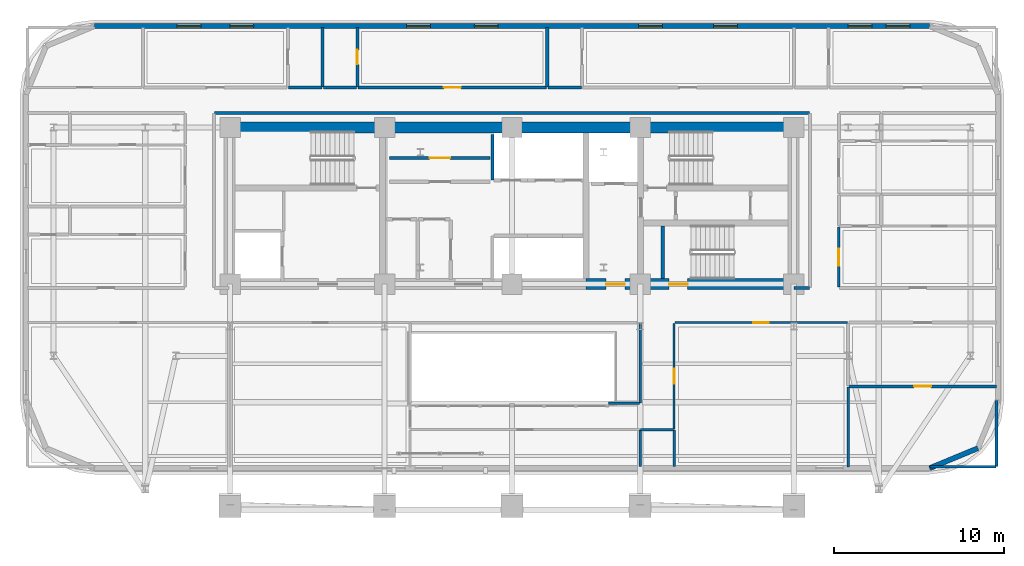
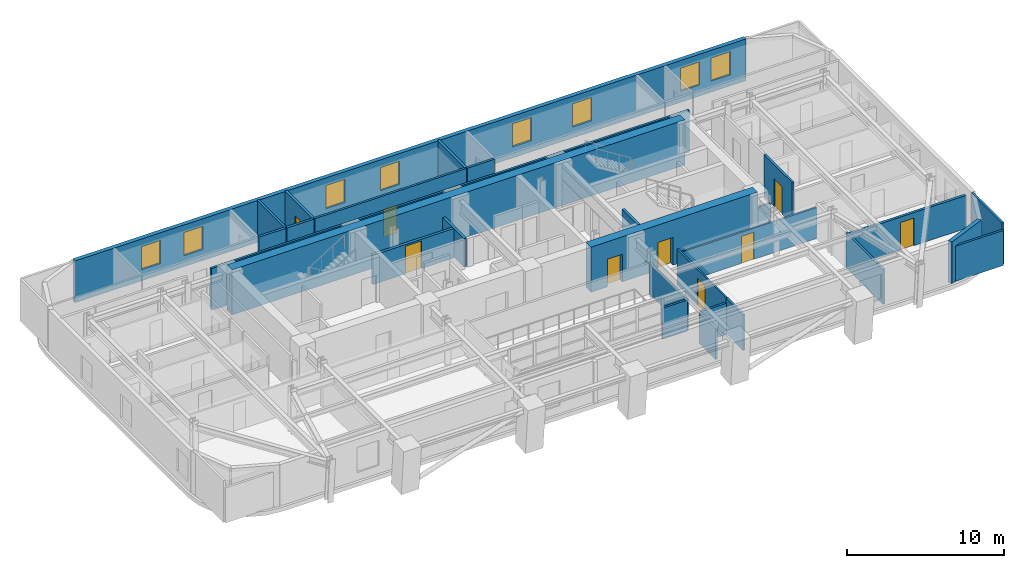
# One storey, part 10 of 15: 28 walls, 9 doors, 8 windows, 17 openings.
"""IFC4 building model written with IfcOpenShell, lengths in metres."""

from ifc_helpers import new_model, si_unit, direction, frame, frame_2d, origin, place, context, subcontext, project, spatial, rectangle, extrude, material, layer, layer_set, type_object, element, fill, save


model = new_model("IFC4")

# Units and contexts
model_context = context("Model", 3, precision=1e-05, world=origin(), true_north=direction((0.0, 1.0)))
body_context = subcontext(model_context, "Body", "Model", "MODEL_VIEW")
ifc_project = project(units=[si_unit("LENGTHUNIT", "METRE"), si_unit("AREAUNIT", "SQUARE_METRE"), si_unit("VOLUMEUNIT", "CUBIC_METRE"), si_unit("PLANEANGLEUNIT", "RADIAN"), si_unit("MASSUNIT", "GRAM", prefix="KILO")], contexts=[model_context])

# Site, building, storey
site_placement = place(None, origin())
site = spatial("IfcSite", under=ifc_project, at=site_placement, CompositionType="ELEMENT")
building_placement = place(site_placement, origin())
building = spatial("IfcBuilding", under=site, at=building_placement, Name="Zarnavel Station Tower", CompositionType="ELEMENT")
storey_placement = place(building_placement, frame((0.0, 0.0, 125.800048828125)))
storey = spatial("IfcBuildingStorey", under=building, at=storey_placement, Name="L34", CompositionType="ELEMENT", Elevation=125.800048828125)

# Wall
ifc_material_1 = material(Name="Concrete C60/75", Category="concrete")
ifc_layer_1 = layer(ifc_material_1, 0.64990234375)
ifc_layer_set_1 = layer_set([ifc_layer_1], Name="CW_650")
wall_type_1 = type_object("IfcWallType", Name="CW_650", PredefinedType="SHEAR", material=ifc_layer_set_1)
wall_1_placement = place(storey_placement, frame((12.14990234375, 37.050048828125, 0.0), z_axis=(0.0, 0.0, 1.0), x_axis=(1.0, 0.0, 0.0)))
element("IfcWall", 1, at=wall_1_placement, inside=storey, type_object=wall_type_1, Name="L34 Rear Core Shear Wall N", PredefinedType="SHEAR", context=body_context, shape_type="SweptSolid", body=[
    extrude(rectangle(XDim=33.22998046875, YDim=0.64990234375, at=frame_2d((16.614990234375, 0.0))), origin(), (0.0, 0.0, 1.0), 3.5),
])

# Wall, openings, doors
wall_2_placement = place(storey_placement, frame((45.3798828125, 27.820068359375, 0.0), z_axis=(0.0, 0.0, 1.0), x_axis=(-1.0, 0.0, 0.0)))
wall_2 = element("IfcWall", 2, at=wall_2_placement, inside=storey, type_object=wall_type_1, Name="L34 Rear Core Shear Wall S-E", PredefinedType="SHEAR", context=body_context, shape_type="SweptSolid", body=[
    extrude(rectangle(XDim=12.22998046875, YDim=0.64990234375, at=frame_2d((6.114990234375, 0.0))), origin(), (0.0, 0.0, 1.0), 3.5),
])
opening_1_placement = place(wall_2_placement, frame((9.929931640625, 0.0, 0.0)))
opening_1 = element("IfcOpeningElement", 3, at=opening_1_placement, cuts=wall_2, Name="Opening FD01", PredefinedType="OPENING", context=body_context, shape_type="SweptSolid", body=[
    extrude(rectangle(XDim=1.10009765625, YDim=2.14990234375, at=frame_2d((0.550048828125, 1.074951171875))), frame((0.0, 0.3349609375, 0.0), z_axis=(0.0, -1.0, 0.0), x_axis=(1.0, 0.0, 0.0)), (0.0, 0.0, 1.0), 0.669921875),
])
opening_2_placement = place(wall_2_placement, frame((6.22998046875, 0.0, 0.0)))
opening_2 = element("IfcOpeningElement", 4, at=opening_2_placement, cuts=wall_2, Name="Opening FD01", PredefinedType="OPENING", context=body_context, shape_type="SweptSolid", body=[
    extrude(rectangle(XDim=1.10009765625, YDim=2.14990234375, at=frame_2d((0.550048828125, 1.074951171875))), frame((0.0, 0.3349609375, 0.0), z_axis=(0.0, -1.0, 0.0), x_axis=(1.0, 0.0, 0.0)), (0.0, 0.0, 1.0), 0.669921875),
])
ifc_material_2 = material(Name="Painted Galvanised Steel and Hardwood Leaf", Category="steel")
door_type_1 = type_object("IfcDoorType", Name="ID_STAIR_1100", OperationType="NOTDEFINED", PredefinedType="DOOR", material=ifc_material_2)
door_1_placement = place(opening_1_placement, origin())
door_1 = element("IfcDoor", 5, at=door_1_placement, inside=storey, type_object=door_type_1, Name="L34 East Firefighting Lobby Door", OperationType="SINGLE_SWING_LEFT", OverallHeight=2.14990234375, OverallWidth=1.10009765625, PredefinedType="DOOR", context=body_context, shape_type="SweptSolid", body=[
    extrude(rectangle(XDim=1.10009765625, YDim=2.14990234375, at=frame_2d((0.550048828125, 1.074951171875))), frame((0.0, 0.02490234375, 0.0), z_axis=(0.0, -1.0, 0.0), x_axis=(1.0, 0.0, 0.0)), (0.0, 0.0, 1.0), 0.050048828125),
])
fill(opening_1, door_1)
door_2_placement = place(opening_2_placement, origin())
door_2 = element("IfcDoor", 6, at=door_2_placement, inside=storey, type_object=door_type_1, Name="L34 Stair ST3 Corridor Fire Door", OperationType="SINGLE_SWING_RIGHT", OverallHeight=2.14990234375, OverallWidth=1.10009765625, PredefinedType="DOOR", context=body_context, shape_type="SweptSolid", body=[
    extrude(rectangle(XDim=1.10009765625, YDim=2.14990234375, at=frame_2d((0.550048828125, 1.074951171875))), frame((0.0, 0.02490234375, 0.0), z_axis=(0.0, -1.0, 0.0), x_axis=(1.0, 0.0, 0.0)), (0.0, 0.0, 1.0), 0.050048828125),
])
fill(opening_2, door_2)

# Wall
ifc_material_3 = material(Name="Precast concrete C45/55 (Dark Basalt Finish)", Category="masonry")
ifc_layer_2 = layer(ifc_material_3, 0.300048828125)
ifc_layer_set_2 = layer_set([ifc_layer_2], Name="EW_BASALT_300")
wall_type_2 = type_object("IfcWallType", Name="EW_BASALT_300", PredefinedType="SOLIDWALL", material=ifc_layer_set_2)
wall_3_placement = place(storey_placement, frame((56.24267578125, 18.157470703125, 0.0), z_axis=(0.0, 0.0, 1.0), x_axis=(-0.923882414032, -0.382676475685, 0.0)))
element("IfcWall", 7, at=wall_3_placement, inside=storey, type_object=wall_type_2, Name="L34 Exterior Basalt Masonry Frame Wall 01", PredefinedType="SOLIDWALL", context=body_context, shape_type="SweptSolid", body=[
    extrude(rectangle(XDim=3.076904296875, YDim=0.300048828125, at=frame_2d((1.53857421875, 0.0))), origin(), (0.0, 0.0, 1.0), 3.239990234375),
])

# Wall, openings, windows
wall_4_placement = place(storey_placement, frame((4.199951171875, 43.02001953125, 0.0), z_axis=(0.0, 0.0, 1.0), x_axis=(1.0, 0.0, 0.0)))
wall_4 = element("IfcWall", 8, at=wall_4_placement, inside=storey, type_object=wall_type_2, Name="L34 Exterior Basalt Masonry Frame Wall 06", PredefinedType="SOLIDWALL", context=body_context, shape_type="SweptSolid", body=[
    extrude(rectangle(XDim=49.199951171875, YDim=0.300048828125, at=frame_2d((24.60009765625, 0.0))), origin(), (0.0, 0.0, 1.0), 3.239990234375),
])
opening_3_placement = place(wall_4_placement, frame((4.87158203125, 0.0, 0.85009765625)))
opening_3 = element("IfcOpeningElement", 9, at=opening_3_placement, cuts=wall_4, Name="Opening WN01", PredefinedType="OPENING", context=body_context, shape_type="SweptSolid", body=[
    extrude(rectangle(XDim=1.39990234375, YDim=1.800048828125, at=frame_2d((0.699951171875, 0.89990234375))), frame((0.0, 0.159912109375, 0.0), z_axis=(0.0, -1.0, 0.0), x_axis=(1.0, 0.0, 0.0)), (0.0, 0.0, 1.0), 0.320068359375),
])
opening_4_placement = place(wall_4_placement, frame((7.9833984375, 0.0, 0.85009765625)))
opening_4 = element("IfcOpeningElement", 10, at=opening_4_placement, cuts=wall_4, Name="Opening WN01", PredefinedType="OPENING", context=body_context, shape_type="SweptSolid", body=[
    extrude(rectangle(XDim=1.39990234375, YDim=1.800048828125, at=frame_2d((0.699951171875, 0.89990234375))), frame((0.0, 0.159912109375, 0.0), z_axis=(0.0, -1.0, 0.0), x_axis=(1.0, 0.0, 0.0)), (0.0, 0.0, 1.0), 0.320068359375),
])
opening_5_placement = place(wall_4_placement, frame((18.388916015625, 0.0, 0.85009765625)))
opening_5 = element("IfcOpeningElement", 11, at=opening_5_placement, cuts=wall_4, Name="Opening WN01", PredefinedType="OPENING", context=body_context, shape_type="SweptSolid", body=[
    extrude(rectangle(XDim=1.39990234375, YDim=1.800048828125, at=frame_2d((0.699951171875, 0.89990234375))), frame((0.0, 0.159912109375, 0.0), z_axis=(0.0, -1.0, 0.0), x_axis=(1.0, 0.0, 0.0)), (0.0, 0.0, 1.0), 0.320068359375),
])
opening_6_placement = place(wall_4_placement, frame((22.383056640625, 0.0, 0.85009765625)))
opening_6 = element("IfcOpeningElement", 12, at=opening_6_placement, cuts=wall_4, Name="Opening WN01", PredefinedType="OPENING", context=body_context, shape_type="SweptSolid", body=[
    extrude(rectangle(XDim=1.39990234375, YDim=1.800048828125, at=frame_2d((0.699951171875, 0.89990234375))), frame((0.0, 0.159912109375, 0.0), z_axis=(0.0, -1.0, 0.0), x_axis=(1.0, 0.0, 0.0)), (0.0, 0.0, 1.0), 0.320068359375),
])
opening_7_placement = place(wall_4_placement, frame((32.05126953125, 0.0, 0.85009765625)))
opening_7 = element("IfcOpeningElement", 13, at=opening_7_placement, cuts=wall_4, Name="Opening WN01", PredefinedType="OPENING", context=body_context, shape_type="SweptSolid", body=[
    extrude(rectangle(XDim=1.39990234375, YDim=1.800048828125, at=frame_2d((0.699951171875, 0.89990234375))), frame((0.0, 0.159912109375, 0.0), z_axis=(0.0, -1.0, 0.0), x_axis=(1.0, 0.0, 0.0)), (0.0, 0.0, 1.0), 0.320068359375),
])
opening_8_placement = place(wall_4_placement, frame((36.4755859375, 0.0, 0.85009765625)))
opening_8 = element("IfcOpeningElement", 14, at=opening_8_placement, cuts=wall_4, Name="Opening WN01", PredefinedType="OPENING", context=body_context, shape_type="SweptSolid", body=[
    extrude(rectangle(XDim=1.39990234375, YDim=1.800048828125, at=frame_2d((0.699951171875, 0.89990234375))), frame((0.0, 0.159912109375, 0.0), z_axis=(0.0, -1.0, 0.0), x_axis=(1.0, 0.0, 0.0)), (0.0, 0.0, 1.0), 0.320068359375),
])
opening_9_placement = place(wall_4_placement, frame((44.393310546875, 0.0, 0.85009765625)))
opening_9 = element("IfcOpeningElement", 15, at=opening_9_placement, cuts=wall_4, Name="Opening WN01", PredefinedType="OPENING", context=body_context, shape_type="SweptSolid", body=[
    extrude(rectangle(XDim=1.39990234375, YDim=1.800048828125, at=frame_2d((0.699951171875, 0.89990234375))), frame((0.0, 0.159912109375, 0.0), z_axis=(0.0, -1.0, 0.0), x_axis=(1.0, 0.0, 0.0)), (0.0, 0.0, 1.0), 0.320068359375),
])
opening_10_placement = place(wall_4_placement, frame((46.63671875, 0.0, 0.85009765625)))
opening_10 = element("IfcOpeningElement", 16, at=opening_10_placement, cuts=wall_4, Name="Opening WN01", PredefinedType="OPENING", context=body_context, shape_type="SweptSolid", body=[
    extrude(rectangle(XDim=1.39990234375, YDim=1.800048828125, at=frame_2d((0.699951171875, 0.89990234375))), frame((0.0, 0.159912109375, 0.0), z_axis=(0.0, -1.0, 0.0), x_axis=(1.0, 0.0, 0.0)), (0.0, 0.0, 1.0), 0.320068359375),
])
ifc_material_4 = material(Name="Thermally Broken Black Aluminium and Low-E Dark Glass", Category="aluminium")
window_type = type_object("IfcWindowType", Name="WN_1400x1800", PartitioningType="DOUBLE_PANEL_VERTICAL", PredefinedType="WINDOW", material=ifc_material_4)
window_1_placement = place(opening_3_placement, origin())
window_1 = element("IfcWindow", 17, at=window_1_placement, inside=storey, type_object=window_type, Name="L34 Recessed Facade Window 01", OverallHeight=1.800048828125, OverallWidth=1.39990234375, PartitioningType="SINGLE_PANEL", PredefinedType="WINDOW", context=body_context, shape_type="SweptSolid", body=[
    extrude(rectangle(XDim=1.39990234375, YDim=1.800048828125, at=frame_2d((0.699951171875, 0.89990234375))), frame((0.0, 0.030029296875, 0.0), z_axis=(0.0, -1.0, 0.0), x_axis=(1.0, 0.0, 0.0)), (0.0, 0.0, 1.0), 0.06005859375),
])
fill(opening_3, window_1)
window_2_placement = place(opening_4_placement, origin())
window_2 = element("IfcWindow", 18, at=window_2_placement, inside=storey, type_object=window_type, Name="L34 Recessed Facade Window 02", OverallHeight=1.800048828125, OverallWidth=1.39990234375, PartitioningType="SINGLE_PANEL", PredefinedType="WINDOW", context=body_context, shape_type="SweptSolid", body=[
    extrude(rectangle(XDim=1.39990234375, YDim=1.800048828125, at=frame_2d((0.699951171875, 0.89990234375))), frame((0.0, 0.030029296875, 0.0), z_axis=(0.0, -1.0, 0.0), x_axis=(1.0, 0.0, 0.0)), (0.0, 0.0, 1.0), 0.06005859375),
])
fill(opening_4, window_2)
window_3_placement = place(opening_5_placement, origin())
window_3 = element("IfcWindow", 19, at=window_3_placement, inside=storey, type_object=window_type, Name="L34 Recessed Facade Window 03", OverallHeight=1.800048828125, OverallWidth=1.39990234375, PartitioningType="SINGLE_PANEL", PredefinedType="WINDOW", context=body_context, shape_type="SweptSolid", body=[
    extrude(rectangle(XDim=1.39990234375, YDim=1.800048828125, at=frame_2d((0.699951171875, 0.89990234375))), frame((0.0, 0.030029296875, 0.0), z_axis=(0.0, -1.0, 0.0), x_axis=(1.0, 0.0, 0.0)), (0.0, 0.0, 1.0), 0.06005859375),
])
fill(opening_5, window_3)
window_4_placement = place(opening_6_placement, origin())
window_4 = element("IfcWindow", 20, at=window_4_placement, inside=storey, type_object=window_type, Name="L34 Recessed Facade Window 04", OverallHeight=1.800048828125, OverallWidth=1.39990234375, PartitioningType="SINGLE_PANEL", PredefinedType="WINDOW", context=body_context, shape_type="SweptSolid", body=[
    extrude(rectangle(XDim=1.39990234375, YDim=1.800048828125, at=frame_2d((0.699951171875, 0.89990234375))), frame((0.0, 0.030029296875, 0.0), z_axis=(0.0, -1.0, 0.0), x_axis=(1.0, 0.0, 0.0)), (0.0, 0.0, 1.0), 0.06005859375),
])
fill(opening_6, window_4)
window_5_placement = place(opening_7_placement, origin())
window_5 = element("IfcWindow", 21, at=window_5_placement, inside=storey, type_object=window_type, Name="L34 Recessed Facade Window 05", OverallHeight=1.800048828125, OverallWidth=1.39990234375, PartitioningType="SINGLE_PANEL", PredefinedType="WINDOW", context=body_context, shape_type="SweptSolid", body=[
    extrude(rectangle(XDim=1.39990234375, YDim=1.800048828125, at=frame_2d((0.699951171875, 0.89990234375))), frame((0.0, 0.030029296875, 0.0), z_axis=(0.0, -1.0, 0.0), x_axis=(1.0, 0.0, 0.0)), (0.0, 0.0, 1.0), 0.06005859375),
])
fill(opening_7, window_5)
window_6_placement = place(opening_8_placement, origin())
window_6 = element("IfcWindow", 22, at=window_6_placement, inside=storey, type_object=window_type, Name="L34 Recessed Facade Window 06", OverallHeight=1.800048828125, OverallWidth=1.39990234375, PartitioningType="SINGLE_PANEL", PredefinedType="WINDOW", context=body_context, shape_type="SweptSolid", body=[
    extrude(rectangle(XDim=1.39990234375, YDim=1.800048828125, at=frame_2d((0.699951171875, 0.89990234375))), frame((0.0, 0.030029296875, 0.0), z_axis=(0.0, -1.0, 0.0), x_axis=(1.0, 0.0, 0.0)), (0.0, 0.0, 1.0), 0.06005859375),
])
fill(opening_8, window_6)
window_7_placement = place(opening_9_placement, origin())
window_7 = element("IfcWindow", 23, at=window_7_placement, inside=storey, type_object=window_type, Name="L34 Recessed Facade Window 07", OverallHeight=1.800048828125, OverallWidth=1.39990234375, PartitioningType="SINGLE_PANEL", PredefinedType="WINDOW", context=body_context, shape_type="SweptSolid", body=[
    extrude(rectangle(XDim=1.39990234375, YDim=1.800048828125, at=frame_2d((0.699951171875, 0.89990234375))), frame((0.0, 0.030029296875, 0.0), z_axis=(0.0, -1.0, 0.0), x_axis=(1.0, 0.0, 0.0)), (0.0, 0.0, 1.0), 0.06005859375),
])
fill(opening_9, window_7)
window_8_placement = place(opening_10_placement, origin())
window_8 = element("IfcWindow", 24, at=window_8_placement, inside=storey, type_object=window_type, Name="L34 Recessed Facade Window 08", OverallHeight=1.800048828125, OverallWidth=1.39990234375, PartitioningType="SINGLE_PANEL", PredefinedType="WINDOW", context=body_context, shape_type="SweptSolid", body=[
    extrude(rectangle(XDim=1.39990234375, YDim=1.800048828125, at=frame_2d((0.699951171875, 0.89990234375))), frame((0.0, 0.030029296875, 0.0), z_axis=(0.0, -1.0, 0.0), x_axis=(1.0, 0.0, 0.0)), (0.0, 0.0, 1.0), 0.06005859375),
])
fill(opening_10, window_8)

# Wall, opening, door
ifc_material_5 = material(Name="Gypsum Twin-Stud Acoustic Fire Partition", Category="concrete")
ifc_layer_3 = layer(ifc_material_5, 0.159912109375)
ifc_layer_set_3 = layer_set([ifc_layer_3], Name="PT_DEMISE_160")
wall_type_3 = type_object("IfcWallType", Name="PT_DEMISE_160", PredefinedType="PARTITIONING", material=ifc_layer_set_3)
wall_5_placement = place(storey_placement, frame((48.050048828125, 27.639892578125, 0.0), z_axis=(0.0, 0.0, 1.0), x_axis=(0.0, 1.0, 0.0)))
wall_5 = element("IfcWall", 25, at=wall_5_placement, inside=storey, type_object=wall_type_3, Name="L34 Partition COR-E-FNE1R", PredefinedType="PARTITIONING", context=body_context, shape_type="SweptSolid", body=[
    extrude(rectangle(XDim=3.55615234375, YDim=0.159912109375, at=frame_2d((1.778076171875, 0.0))), origin(), (0.0, 0.0, 1.0), 3.239990234375),
])
opening_11_placement = place(wall_5_placement, frame((1.278076171875, 0.0, 0.0)))
opening_11 = element("IfcOpeningElement", 26, at=opening_11_placement, cuts=wall_5, Name="Opening FD02", PredefinedType="OPENING", context=body_context, shape_type="SweptSolid", body=[
    extrude(rectangle(XDim=1.0, YDim=2.14990234375, at=frame_2d((0.5, 1.074951171875))), frame((0.0, 0.08984375, 0.0), z_axis=(0.0, -1.0, 0.0), x_axis=(1.0, 0.0, 0.0)), (0.0, 0.0, 1.0), 0.179931640625),
])
ifc_material_6 = material(Name="Painted Galvanised Steel and Hardwood Leaf", Category="steel")
door_type_2 = type_object("IfcDoorType", Name="ID_ENTRY_1000", OperationType="NOTDEFINED", PredefinedType="DOOR", material=ifc_material_6)
door_3_placement = place(opening_11_placement, origin())
door_3 = element("IfcDoor", 27, at=door_3_placement, inside=storey, type_object=door_type_2, Name="L34 Door COR-E-FNE1R", OperationType="SINGLE_SWING_RIGHT", OverallHeight=2.14990234375, OverallWidth=1.0, PredefinedType="DOOR", context=body_context, shape_type="SweptSolid", body=[
    extrude(rectangle(XDim=1.0, YDim=2.14990234375, at=frame_2d((0.5, 1.074951171875))), frame((0.0, 0.02490234375, 0.0), z_axis=(0.0, -1.0, 0.0), x_axis=(1.0, 0.0, 0.0)), (0.0, 0.0, 1.0), 0.050048828125),
])
fill(opening_11, door_3)

wall_6_placement = place(storey_placement, frame((19.735107421875, 39.39990234375, 0.0), z_axis=(0.0, 0.0, 1.0), x_axis=(1.0, 0.0, 0.0)))
wall_6 = element("IfcWall", 28, at=wall_6_placement, inside=storey, type_object=wall_type_3, Name="L34 Partition COR-N-HN2R", PredefinedType="PARTITIONING", context=body_context, shape_type="SweptSolid", body=[
    extrude(rectangle(XDim=11.101806640625, YDim=0.159912109375, at=frame_2d((5.55078125, 0.0))), origin(), (0.0, 0.0, 1.0), 3.239990234375),
])
opening_12_placement = place(wall_6_placement, frame((5.051025390625, 0.0, 0.0)))
opening_12 = element("IfcOpeningElement", 29, at=opening_12_placement, cuts=wall_6, Name="Opening FD02", PredefinedType="OPENING", context=body_context, shape_type="SweptSolid", body=[
    extrude(rectangle(XDim=1.0, YDim=2.14990234375, at=frame_2d((0.5, 1.074951171875))), frame((0.0, 0.08984375, 0.0), z_axis=(0.0, -1.0, 0.0), x_axis=(1.0, 0.0, 0.0)), (0.0, 0.0, 1.0), 0.179931640625),
])
door_4_placement = place(opening_12_placement, origin())
door_4 = element("IfcDoor", 30, at=door_4_placement, inside=storey, type_object=door_type_2, Name="L34 Door COR-N-HN2R", OperationType="SINGLE_SWING_RIGHT", OverallHeight=2.14990234375, OverallWidth=1.0, PredefinedType="DOOR", context=body_context, shape_type="SweptSolid", body=[
    extrude(rectangle(XDim=1.0, YDim=2.14990234375, at=frame_2d((0.5, 1.074951171875))), frame((0.0, 0.02490234375, 0.0), z_axis=(0.0, -1.0, 0.0), x_axis=(1.0, 0.0, 0.0)), (0.0, 0.0, 1.0), 0.050048828125),
])
fill(opening_12, door_4)

# Walls
wall_7_placement = place(storey_placement, frame((48.60009765625, 17.06005859375, 0.0), z_axis=(0.0, 0.0, 1.0), x_axis=(0.0, 1.0, 0.0)))
element("IfcWall", 31, at=wall_7_placement, inside=storey, type_object=wall_type_3, Name="L34 Partition L33DIN-L33STR", PredefinedType="PARTITIONING", context=body_context, shape_type="SweptSolid", body=[
    extrude(rectangle(XDim=4.699951171875, YDim=0.159912109375, at=frame_2d((2.35009765625, 0.0))), origin(), (0.0, 0.0, 1.0), 2.719970703125),
])
wall_8_placement = place(storey_placement, frame((45.409912109375, 27.60009765625, 0.0), z_axis=(0.0, 0.0, 1.0), x_axis=(1.0, 0.0, 0.0)))
element("IfcWall", 32, at=wall_8_placement, inside=storey, type_object=wall_type_3, Name="L34 Enclosure Wall COR-S", PredefinedType="PARTITIONING", context=body_context, shape_type="SweptSolid", body=[
    extrude(rectangle(XDim=0.91015625, YDim=0.159912109375, at=frame_2d((0.455078125, 0.0))), origin(), (0.0, 0.0, 1.0), 2.280029296875),
])
wall_9_placement = place(storey_placement, frame((11.280029296875, 37.89990234375, 0.0), z_axis=(0.0, 0.0, 1.0), x_axis=(1.0, 0.0, 0.0)))
element("IfcWall", 33, at=wall_9_placement, inside=storey, type_object=wall_type_3, Name="L34 Enclosure Wall COR-N", PredefinedType="PARTITIONING", context=body_context, shape_type="SweptSolid", body=[
    extrude(rectangle(XDim=35.0400390625, YDim=0.159912109375, at=frame_2d((17.52001953125, 0.0))), origin(), (0.0, 0.0, 1.0), 3.239990234375),
])
wall_10_placement = place(storey_placement, frame((36.3798828125, 19.25, 0.0), z_axis=(0.0, 0.0, 1.0), x_axis=(1.0, 0.0, 0.0)))
element("IfcWall", 34, at=wall_10_placement, inside=storey, type_object=wall_type_3, Name="L34 Enclosure Wall COR-AE", PredefinedType="PARTITIONING", context=body_context, shape_type="SweptSolid", body=[
    extrude(rectangle(XDim=1.940185546875, YDim=0.159912109375, at=frame_2d((0.97021484375, 0.0))), origin(), (0.0, 0.0, 1.0), 2.406005859375),
])
wall_11_placement = place(storey_placement, frame((36.35009765625, 20.830078125, 0.0), z_axis=(0.0, 0.0, 1.0), x_axis=(0.0, 1.0, 0.0)))
element("IfcWall", 35, at=wall_11_placement, inside=storey, type_object=wall_type_3, Name="L34 Enclosure Wall COR-AE", PredefinedType="PARTITIONING", context=body_context, shape_type="SweptSolid", body=[
    extrude(rectangle(XDim=4.68994140625, YDim=0.159912109375, at=frame_2d((2.344970703125, 0.0))), origin(), (0.0, 0.0, 1.0), 2.406005859375),
])
wall_12_placement = place(storey_placement, frame((34.47998046875, 20.800048828125, 0.0), z_axis=(0.0, 0.0, 1.0), x_axis=(1.0, 0.0, 0.0)))
element("IfcWall", 36, at=wall_12_placement, inside=storey, type_object=wall_type_3, Name="L34 Enclosure Wall COR-AS", PredefinedType="PARTITIONING", context=body_context, shape_type="SweptSolid", body=[
    extrude(rectangle(XDim=1.840087890625, YDim=0.159912109375, at=frame_2d((0.919921875, 0.0))), origin(), (0.0, 0.0, 1.0), 2.406005859375),
])
wall_13_placement = place(storey_placement, frame((36.35009765625, 17.090087890625, 0.0), z_axis=(0.0, 0.0, 1.0), x_axis=(0.0, 1.0, 0.0)))
element("IfcWall", 37, at=wall_13_placement, inside=storey, type_object=wall_type_3, Name="L34 Enclosure Wall L33TEA", PredefinedType="PARTITIONING", context=body_context, shape_type="SweptSolid", body=[
    extrude(rectangle(XDim=2.1298828125, YDim=0.159912109375, at=frame_2d((1.06494140625, 0.0))), origin(), (0.0, 0.0, 1.0), 2.406005859375),
])
wall_14_placement = place(storey_placement, frame((38.35009765625, 17.090087890625, 0.0), z_axis=(0.0, 0.0, 1.0), x_axis=(0.0, 1.0, 0.0)))
element("IfcWall", 38, at=wall_14_placement, inside=storey, type_object=wall_type_3, Name="L34 Enclosure Wall L33DIN", PredefinedType="PARTITIONING", context=body_context, shape_type="SweptSolid", body=[
    extrude(rectangle(XDim=2.1298828125, YDim=0.159912109375, at=frame_2d((1.06494140625, 0.0))), origin(), (0.0, 0.0, 1.0), 2.77001953125),
])
wall_15_placement = place(storey_placement, frame((53.429931640625, 17.06005859375, 0.0), z_axis=(0.0, 0.0, 1.0), x_axis=(1.0, 0.0, 0.0)))
element("IfcWall", 39, at=wall_15_placement, inside=storey, type_object=wall_type_3, Name="L34 Enclosure Wall L33STR", PredefinedType="PARTITIONING", context=body_context, shape_type="SweptSolid", body=[
    extrude(rectangle(XDim=3.880126953125, YDim=0.159912109375, at=frame_2d((1.93994140625, 0.0))), origin(), (0.0, 0.0, 1.0), 2.719970703125),
])
wall_16_placement = place(storey_placement, frame((57.340087890625, 17.090087890625, 0.0), z_axis=(0.0, 0.0, 1.0), x_axis=(0.0, 1.0, 0.0)))
element("IfcWall", 40, at=wall_16_placement, inside=storey, type_object=wall_type_3, Name="L34 Enclosure Wall L33STR", PredefinedType="PARTITIONING", context=body_context, shape_type="SweptSolid", body=[
    extrude(rectangle(XDim=3.8798828125, YDim=0.159912109375, at=frame_2d((1.93994140625, 0.0))), origin(), (0.0, 0.0, 1.0), 3.239990234375),
])

# Wall, opening, door
ifc_material_7 = material(Name="Gypsum Metal-Stud Interior Partition", Category="concrete")
ifc_layer_4 = layer(ifc_material_7, 0.1201171875)
ifc_layer_set_4 = layer_set([ifc_layer_4], Name="PT_ROOM_120")
wall_type_4 = type_object("IfcWallType", Name="PT_ROOM_120", PredefinedType="PARTITIONING", material=ifc_layer_set_4)
wall_17_placement = place(storey_placement, frame((38.389892578125, 25.550048828125, 0.0), z_axis=(0.0, 0.0, 1.0), x_axis=(1.0, 0.0, 0.0)))
wall_17 = element("IfcWall", 41, at=wall_17_placement, inside=storey, type_object=wall_type_4, Name="L34 Partition COR-S-L33DIN", PredefinedType="PARTITIONING", context=body_context, shape_type="SweptSolid", body=[
    extrude(rectangle(XDim=10.170166015625, YDim=0.1201171875, at=frame_2d((5.0849609375, 0.0))), origin(), (0.0, 0.0, 1.0), 2.406005859375),
])
opening_13_placement = place(wall_17_placement, frame((4.635009765625, 0.0, 0.0)))
opening_13 = element("IfcOpeningElement", 42, at=opening_13_placement, cuts=wall_17, Name="Opening ID01", PredefinedType="OPENING", context=body_context, shape_type="SweptSolid", body=[
    extrude(rectangle(XDim=0.89990234375, YDim=2.10009765625, at=frame_2d((0.449951171875, 1.050048828125))), frame((0.0, 0.070068359375, 0.0), z_axis=(0.0, -1.0, 0.0), x_axis=(1.0, 0.0, 0.0)), (0.0, 0.0, 1.0), 0.14013671875),
])
ifc_material_8 = material(Name="Painted Galvanised Steel and Hardwood Leaf", Category="steel")
door_type_3 = type_object("IfcDoorType", Name="ID_ROOM_900", OperationType="NOTDEFINED", PredefinedType="DOOR", material=ifc_material_8)
door_5_placement = place(opening_13_placement, origin())
door_5 = element("IfcDoor", 43, at=door_5_placement, inside=storey, type_object=door_type_3, Name="L34 Door COR-S-L33DIN", OperationType="SINGLE_SWING_RIGHT", OverallHeight=2.10009765625, OverallWidth=0.89990234375, PredefinedType="DOOR", context=body_context, shape_type="SweptSolid", body=[
    extrude(rectangle(XDim=0.89990234375, YDim=2.10009765625, at=frame_2d((0.449951171875, 1.050048828125))), frame((0.0, 0.02490234375, 0.0), z_axis=(0.0, -1.0, 0.0), x_axis=(1.0, 0.0, 0.0)), (0.0, 0.0, 1.0), 0.050048828125),
])
fill(opening_13, door_5)

wall_18_placement = place(storey_placement, frame((38.35009765625, 19.2900390625, 0.0), z_axis=(0.0, 0.0, 1.0), x_axis=(0.0, 1.0, 0.0)))
wall_18 = element("IfcWall", 44, at=wall_18_placement, inside=storey, type_object=wall_type_4, Name="L34 Partition COR-AE-L33DIN", PredefinedType="PARTITIONING", context=body_context, shape_type="SweptSolid", body=[
    extrude(rectangle(XDim=6.219970703125, YDim=0.1201171875, at=frame_2d((3.10986328125, 0.0))), origin(), (0.0, 0.0, 1.0), 2.77001953125),
])
opening_14_placement = place(wall_18_placement, frame((2.659912109375, 0.0, 0.0)))
opening_14 = element("IfcOpeningElement", 45, at=opening_14_placement, cuts=wall_18, Name="Opening ID01", PredefinedType="OPENING", context=body_context, shape_type="SweptSolid", body=[
    extrude(rectangle(XDim=0.89990234375, YDim=2.10009765625, at=frame_2d((0.449951171875, 1.050048828125))), frame((0.0, 0.070068359375, 0.0), z_axis=(0.0, -1.0, 0.0), x_axis=(1.0, 0.0, 0.0)), (0.0, 0.0, 1.0), 0.14013671875),
])
door_6_placement = place(opening_14_placement, origin())
door_6 = element("IfcDoor", 46, at=door_6_placement, inside=storey, type_object=door_type_3, Name="L34 Door COR-AE-L33DIN", OperationType="SINGLE_SWING_LEFT", OverallHeight=2.10009765625, OverallWidth=0.89990234375, PredefinedType="DOOR", context=body_context, shape_type="SweptSolid", body=[
    extrude(rectangle(XDim=0.89990234375, YDim=2.10009765625, at=frame_2d((0.449951171875, 1.050048828125))), frame((0.0, 0.02490234375, 0.0), z_axis=(0.0, -1.0, 0.0), x_axis=(1.0, 0.0, 0.0)), (0.0, 0.0, 1.0), 0.050048828125),
])
fill(opening_14, door_6)

# Walls
ifc_material_9 = material(Name="Precast concrete C45/55 (Fire Shaft Blockwork)", Category="masonry")
ifc_layer_5 = layer(ifc_material_9, 0.199951171875)
ifc_layer_set_5 = layer_set([ifc_layer_5], Name="PT_SHAFT_200")
wall_type_5 = type_object("IfcWallType", Name="PT_SHAFT_200", PredefinedType="PARTITIONING", material=ifc_layer_set_5)
wall_19_placement = place(storey_placement, frame((27.64990234375, 33.949951171875, 0.0), z_axis=(0.0, 0.0, 1.0), x_axis=(0.0, 1.0, 0.0)))
element("IfcWall", 47, at=wall_19_placement, inside=storey, type_object=wall_type_5, Name="L34 Mid-Rise Lift Bank West Shaft Wall", PredefinedType="PARTITIONING", context=body_context, shape_type="SweptSolid", body=[
    extrude(rectangle(XDim=2.679931640625, YDim=0.199951171875, at=frame_2d((1.33984375, 0.0))), origin(), (0.0, 0.0, 1.0), 2.2119140625),
])
wall_20_placement = place(storey_placement, frame((37.679931640625, 28.14501953125, 0.0), z_axis=(0.0, 0.0, 1.0), x_axis=(0.0, 1.0, 0.0)))
element("IfcWall", 48, at=wall_20_placement, inside=storey, type_object=wall_type_5, Name="L34 Stair ST3 West Shaft Wall", PredefinedType="PARTITIONING", context=body_context, shape_type="SweptSolid", body=[
    extrude(rectangle(XDim=3.10498046875, YDim=0.199951171875, at=frame_2d((1.552490234375, 0.0))), origin(), (0.0, 0.0, 1.0), 2.619873046875),
])

# Wall, opening, door
wall_21_placement = place(storey_placement, frame((21.590087890625, 35.25, 0.0), z_axis=(0.0, 0.0, 1.0), x_axis=(1.0, 0.0, 0.0)))
wall_21 = element("IfcWall", 49, at=wall_21_placement, inside=storey, type_object=wall_type_5, Name="L34 Partition FB1A-FB1B", PredefinedType="PARTITIONING", context=body_context, shape_type="SweptSolid", body=[
    extrude(rectangle(XDim=5.919921875, YDim=0.199951171875, at=frame_2d((2.9599609375, 0.0))), origin(), (0.0, 0.0, 1.0), 2.280029296875),
])
opening_15_placement = place(wall_21_placement, frame((2.360107421875, 0.0, 0.0)))
opening_15 = element("IfcOpeningElement", 50, at=opening_15_placement, cuts=wall_21, Name="Opening FD03", PredefinedType="OPENING", context=body_context, shape_type="SweptSolid", body=[
    extrude(rectangle(XDim=1.199951171875, YDim=2.14990234375, at=frame_2d((0.60009765625, 1.074951171875))), frame((0.0, 0.10986328125, 0.0), z_axis=(0.0, -1.0, 0.0), x_axis=(1.0, 0.0, 0.0)), (0.0, 0.0, 1.0), 0.219970703125),
])
ifc_material_10 = material(Name="Painted Galvanised Steel and Hardwood Leaf", Category="steel")
door_type_4 = type_object("IfcDoorType", Name="ID_PLANT_1200", OperationType="NOTDEFINED", PredefinedType="DOOR", material=ifc_material_10)
door_7_placement = place(opening_15_placement, origin())
door_7 = element("IfcDoor", 51, at=door_7_placement, inside=storey, type_object=door_type_4, Name="L34 Door FB1A-FB1B", OperationType="SINGLE_SWING_LEFT", OverallHeight=2.14990234375, OverallWidth=1.199951171875, PredefinedType="DOOR", context=body_context, shape_type="SweptSolid", body=[
    extrude(rectangle(XDim=1.199951171875, YDim=2.14990234375, at=frame_2d((0.60009765625, 1.074951171875))), frame((0.0, 0.02490234375, 0.0), z_axis=(0.0, -1.0, 0.0), x_axis=(1.0, 0.0, 0.0)), (0.0, 0.0, 1.0), 0.050048828125),
])
fill(opening_15, door_7)

# Walls
ifc_material_11 = material(Name="Moisture-Resistant Plumbing Chase Wall", Category="concrete")
ifc_layer_6 = layer(ifc_material_11, 0.179931640625)
ifc_layer_set_6 = layer_set([ifc_layer_6], Name="PW_PLUMB_180")
wall_type_6 = type_object("IfcWallType", Name="PW_PLUMB_180", PredefinedType="PLUMBINGWALL", material=ifc_layer_set_6)
for number, where, z_axis, x_axis, name in (
    (52, (15.635009765625, 39.39990234375, 0.0), (0.0, 0.0, 1.0), (1.0, 0.0, 0.0), "L34 Partition COR-N-HN1B"),
    (53, (17.68505859375, 39.39990234375, 0.0), (0.0, 0.0, 1.0), (1.0, 0.0, 0.0), "L34 Partition COR-N-HN2B"),
    (54, (30.9169921875, 39.39990234375, 0.0), (0.0, 0.0, 1.0), (1.0, 0.0, 0.0), "L34 Partition COR-N-HN3B"),
):
    element("IfcWall", number, at=place(storey_placement, frame(where, z_axis=z_axis, x_axis=x_axis)), inside=storey, type_object=wall_type_6, Name=name, PredefinedType="PLUMBINGWALL", context=body_context, shape_type="SweptSolid", body=[
        extrude(rectangle(XDim=1.969970703125, YDim=0.179931640625, at=frame_2d((0.98486328125, 0.0))), origin(), (0.0, 0.0, 1.0), 3.239990234375),
    ])
wall_22_placement = place(storey_placement, frame((17.64501953125, 39.43994140625, 0.0), z_axis=(0.0, 0.0, 1.0), x_axis=(0.0, 1.0, 0.0)))
element("IfcWall", 55, at=wall_22_placement, inside=storey, type_object=wall_type_6, Name="L34 Partition HN1B-HN2B", PredefinedType="PLUMBINGWALL", context=body_context, shape_type="SweptSolid", body=[
    extrude(rectangle(XDim=3.5, YDim=0.179931640625, at=frame_2d((1.75, 0.0))), origin(), (0.0, 0.0, 1.0), 3.239990234375),
])

# Wall, opening, door
wall_23_placement = place(storey_placement, frame((19.695068359375, 39.43994140625, 0.0), z_axis=(0.0, 0.0, 1.0), x_axis=(0.0, 1.0, 0.0)))
wall_23 = element("IfcWall", 56, at=wall_23_placement, inside=storey, type_object=wall_type_6, Name="L34 Partition HN2R-HN2B", PredefinedType="PLUMBINGWALL", context=body_context, shape_type="SweptSolid", body=[
    extrude(rectangle(XDim=3.5, YDim=0.179931640625, at=frame_2d((1.75, 0.0))), origin(), (0.0, 0.0, 1.0), 3.239990234375),
])
opening_16_placement = place(wall_23_placement, frame((1.324951171875, 0.0, 0.0)))
opening_16 = element("IfcOpeningElement", 57, at=opening_16_placement, cuts=wall_23, Name="Opening ID02", PredefinedType="OPENING", context=body_context, shape_type="SweptSolid", body=[
    extrude(rectangle(XDim=0.85009765625, YDim=2.10009765625, at=frame_2d((0.425048828125, 1.050048828125))), frame((0.0, 0.099853515625, 0.0), z_axis=(0.0, -1.0, 0.0), x_axis=(1.0, 0.0, 0.0)), (0.0, 0.0, 1.0), 0.199951171875),
])
ifc_material_12 = material(Name="Painted Galvanised Steel and Hardwood Leaf", Category="steel")
door_type_5 = type_object("IfcDoorType", Name="ID_BATH_850", OperationType="NOTDEFINED", PredefinedType="DOOR", material=ifc_material_12)
door_8_placement = place(opening_16_placement, origin())
door_8 = element("IfcDoor", 58, at=door_8_placement, inside=storey, type_object=door_type_5, Name="L34 Door HN2R-HN2B", OperationType="SINGLE_SWING_LEFT", OverallHeight=2.10009765625, OverallWidth=0.85009765625, PredefinedType="DOOR", context=body_context, shape_type="SweptSolid", body=[
    extrude(rectangle(XDim=0.85009765625, YDim=2.10009765625, at=frame_2d((0.425048828125, 1.050048828125))), frame((0.0, 0.02490234375, 0.0), z_axis=(0.0, -1.0, 0.0), x_axis=(1.0, 0.0, 0.0)), (0.0, 0.0, 1.0), 0.050048828125),
])
fill(opening_16, door_8)

# Wall
wall_24_placement = place(storey_placement, frame((30.876953125, 39.43994140625, 0.0), z_axis=(0.0, 0.0, 1.0), x_axis=(0.0, 1.0, 0.0)))
element("IfcWall", 59, at=wall_24_placement, inside=storey, type_object=wall_type_6, Name="L34 Partition HN2R-HN3B", PredefinedType="PLUMBINGWALL", context=body_context, shape_type="SweptSolid", body=[
    extrude(rectangle(XDim=3.5, YDim=0.179931640625, at=frame_2d((1.75, 0.0))), origin(), (0.0, 0.0, 1.0), 3.239990234375),
])

# Wall, opening, door
wall_25_placement = place(storey_placement, frame((48.639892578125, 21.800048828125, 0.0), z_axis=(0.0, 0.0, 1.0), x_axis=(1.0, 0.0, 0.0)))
wall_25 = element("IfcWall", 60, at=wall_25_placement, inside=storey, type_object=wall_type_6, Name="L34 Partition L33KIT-L33STR", PredefinedType="PLUMBINGWALL", context=body_context, shape_type="SweptSolid", body=[
    extrude(rectangle(XDim=8.7001953125, YDim=0.179931640625, at=frame_2d((4.35009765625, 0.0))), origin(), (0.0, 0.0, 1.0), 2.570068359375),
])
opening_17_placement = place(wall_25_placement, frame((3.85009765625, 0.0, 0.0)))
opening_17 = element("IfcOpeningElement", 61, at=opening_17_placement, cuts=wall_25, Name="Opening FD02", PredefinedType="OPENING", context=body_context, shape_type="SweptSolid", body=[
    extrude(rectangle(XDim=1.0, YDim=2.14990234375, at=frame_2d((0.5, 1.074951171875))), frame((0.0, 0.099853515625, 0.0), z_axis=(0.0, -1.0, 0.0), x_axis=(1.0, 0.0, 0.0)), (0.0, 0.0, 1.0), 0.199951171875),
])
door_9_placement = place(opening_17_placement, origin())
door_9 = element("IfcDoor", 62, at=door_9_placement, inside=storey, type_object=door_type_2, Name="L34 Door L33KIT-L33STR", OperationType="SINGLE_SWING_RIGHT", OverallHeight=2.14990234375, OverallWidth=1.0, PredefinedType="DOOR", context=body_context, shape_type="SweptSolid", body=[
    extrude(rectangle(XDim=1.0, YDim=2.14990234375, at=frame_2d((0.5, 1.074951171875))), frame((0.0, 0.02490234375, 0.0), z_axis=(0.0, -1.0, 0.0), x_axis=(1.0, 0.0, 0.0)), (0.0, 0.0, 1.0), 0.050048828125),
])
fill(opening_17, door_9)

save(model, "model.ifc")
